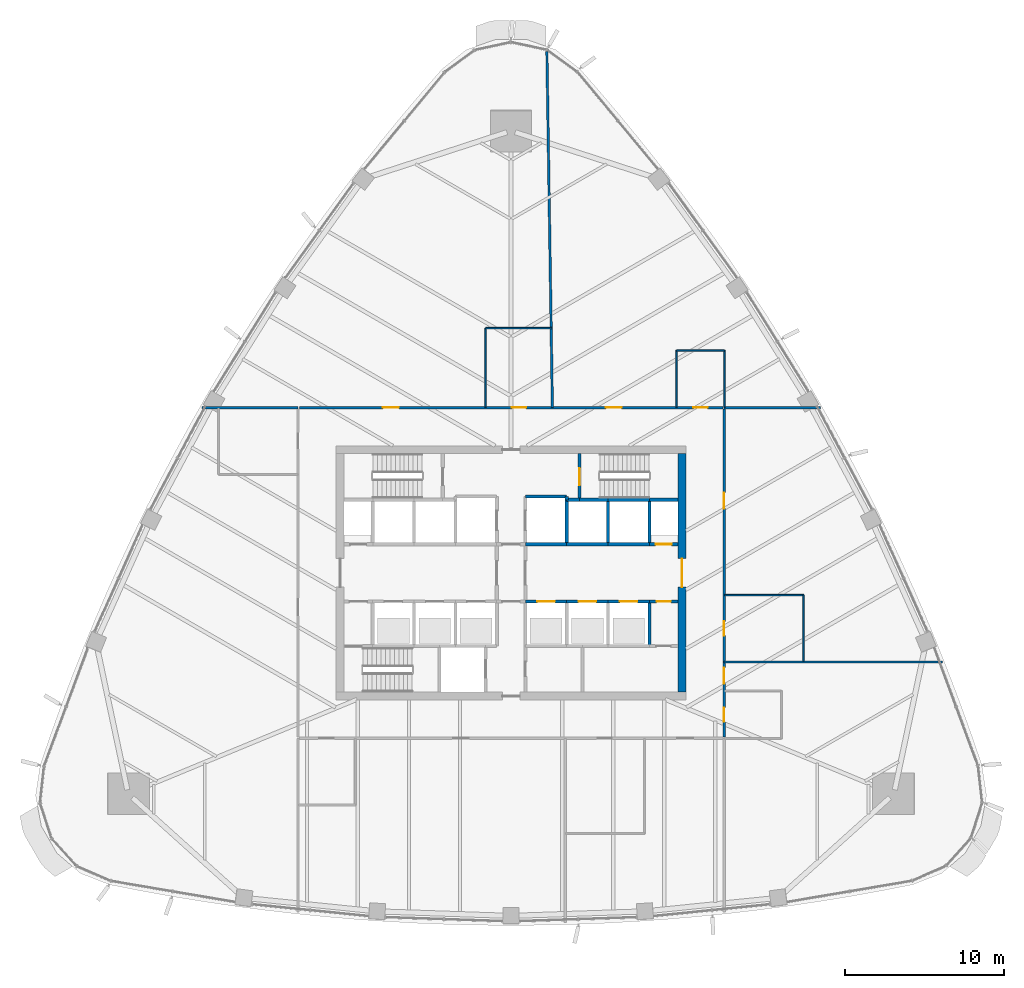
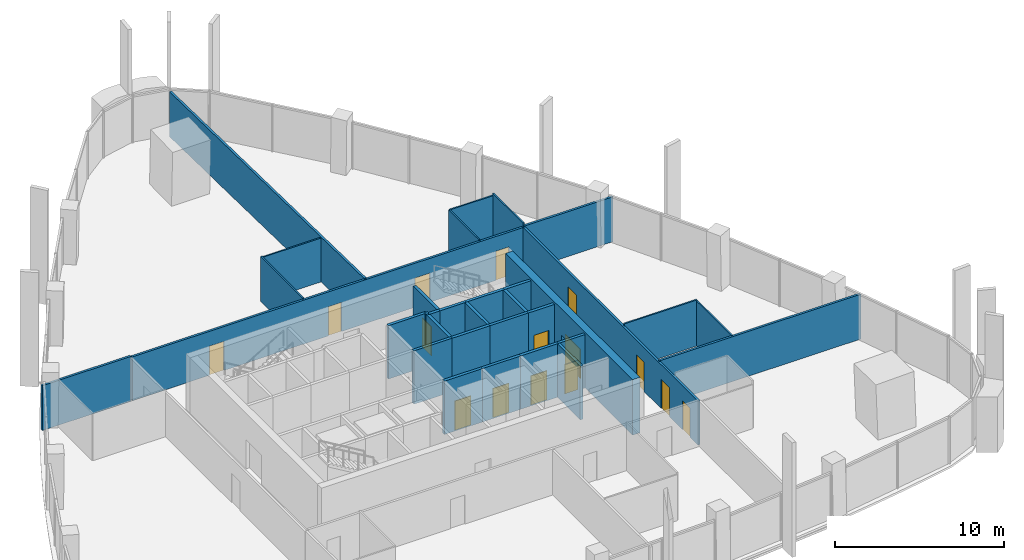
# One storey, part 11 of 20: 33 walls, 15 doors, 15 openings.
"""IFC4 building model written with IfcOpenShell, lengths in metres."""

from ifc_helpers import new_model, si_unit, direction, frame, frame_2d, origin, place, context, subcontext, project, spatial, rectangle, extrude, material, layer, layer_set, type_object, element, fill, save


model = new_model("IFC4")

# Units and contexts
model_context = context("Model", 3, precision=1e-05, world=origin(), true_north=direction((0.0, 1.0)))
body_context = subcontext(model_context, "Body", "Model", "MODEL_VIEW")
ifc_project = project(units=[si_unit("LENGTHUNIT", "METRE"), si_unit("AREAUNIT", "SQUARE_METRE"), si_unit("VOLUMEUNIT", "CUBIC_METRE"), si_unit("PLANEANGLEUNIT", "RADIAN"), si_unit("MASSUNIT", "GRAM", prefix="KILO")], contexts=[model_context])

# Site, building, storey
site_placement = place(None, origin())
site = spatial("IfcSite", under=ifc_project, at=site_placement, CompositionType="ELEMENT")
building_placement = place(site_placement, origin())
building = spatial("IfcBuilding", under=site, at=building_placement, Name="Sierra Prisma Convention Tower", CompositionType="ELEMENT")
storey_placement = place(building_placement, frame((0.0, 0.0, 161.800048828125)))
storey = spatial("IfcBuildingStorey", under=building, at=storey_placement, Name="L35", CompositionType="ELEMENT", Elevation=161.800048828125)

# Walls
ifc_material_1 = material(Name="Gypsum board partition", Category="gypsum")
ifc_layer_1 = layer(ifc_material_1, 0.10009765625)
ifc_layer_set_1 = layer_set([ifc_layer_1], Name="Bathroom partition 100")
wall_type_1 = type_object("IfcWallType", Name="Bathroom partition 100", PredefinedType="PARTITIONING", material=ifc_layer_set_1)
wall_1_placement = place(storey_placement, frame((-1.60009765625, 10.429931640625, 0.0), z_axis=(0.0, 0.0, 1.0), x_axis=(0.0, 1.0, 0.0)))
element("IfcWall", 1, at=wall_1_placement, inside=storey, type_object=wall_type_1, Name="Partition L35 bath 5", PredefinedType="PARTITIONING", context=body_context, shape_type="SweptSolid", body=[
    extrude(rectangle(XDim=4.969970703125, YDim=0.10009765625, at=frame_2d((2.48486328125, 0.0))), origin(), (0.0, 0.0, 1.0), 3.2470703125),
])
wall_2_placement = place(storey_placement, frame((-1.60009765625, 15.39990234375, 0.0), z_axis=(0.0, 0.0, 1.0), x_axis=(1.0, 0.0, 0.0)))
element("IfcWall", 2, at=wall_2_placement, inside=storey, type_object=wall_type_1, Name="Partition L35 bath 6", PredefinedType="PARTITIONING", context=body_context, shape_type="SweptSolid", body=[
    extrude(rectangle(XDim=4.170166015625, YDim=0.10009765625, at=frame_2d((2.0849609375, 0.0))), origin(), (0.0, 0.0, 1.0), 3.166015625),
])
wall_3_placement = place(storey_placement, frame((10.419921875, 10.429931640625, 0.0), z_axis=(0.0, 0.0, 1.0), x_axis=(0.0, 1.0, 0.0)))
element("IfcWall", 3, at=wall_3_placement, inside=storey, type_object=wall_type_1, Name="Partition L35 bath 9", PredefinedType="PARTITIONING", context=body_context, shape_type="SweptSolid", body=[
    extrude(rectangle(XDim=3.570068359375, YDim=0.10009765625, at=frame_2d((1.78515625, 0.0))), origin(), (0.0, 0.0, 1.0), 3.2470703125),
])
wall_4_placement = place(storey_placement, frame((10.419921875, 14.0, 0.0), z_axis=(0.0, 0.0, 1.0), x_axis=(1.0, 0.0, 0.0)))
element("IfcWall", 4, at=wall_4_placement, inside=storey, type_object=wall_type_1, Name="Partition L35 bath 10", PredefinedType="PARTITIONING", context=body_context, shape_type="SweptSolid", body=[
    extrude(rectangle(XDim=3.0, YDim=0.10009765625, at=frame_2d((1.5, 0.0))), origin(), (0.0, 0.0, 1.0), 3.2470703125),
])
wall_5_placement = place(storey_placement, frame((13.419921875, 14.0, 0.0), z_axis=(0.0, 0.0, 1.0), x_axis=(0.0, -1.0, 0.0)))
element("IfcWall", 5, at=wall_5_placement, inside=storey, type_object=wall_type_1, Name="Partition L35 bath 11", PredefinedType="PARTITIONING", context=body_context, shape_type="SweptSolid", body=[
    extrude(rectangle(XDim=3.570068359375, YDim=0.10009765625, at=frame_2d((1.78515625, 0.0))), origin(), (0.0, 0.0, 1.0), 3.39306640625),
])
wall_6_placement = place(storey_placement, frame((13.429931640625, -1.39990234375, 0.0), z_axis=(0.0, 0.0, 1.0), x_axis=(1.0, 0.0, 0.0)))
element("IfcWall", 6, at=wall_6_placement, inside=storey, type_object=wall_type_1, Name="Partition L35 bath 15", PredefinedType="PARTITIONING", context=body_context, shape_type="SweptSolid", body=[
    extrude(rectangle(XDim=4.969970703125, YDim=0.10009765625, at=frame_2d((2.48486328125, 0.0))), origin(), (0.0, 0.0, 1.0), 3.31689453125),
])
wall_7_placement = place(storey_placement, frame((18.39990234375, -1.39990234375, 0.0), z_axis=(0.0, 0.0, 1.0), x_axis=(0.0, -1.0, 0.0)))
element("IfcWall", 7, at=wall_7_placement, inside=storey, type_object=wall_type_1, Name="Partition L35 bath 16", PredefinedType="PARTITIONING", context=body_context, shape_type="SweptSolid", body=[
    extrude(rectangle(XDim=4.170166015625, YDim=0.10009765625, at=frame_2d((2.0849609375, 0.0))), origin(), (0.0, 0.0, 1.0), 3.2470703125),
])

# Wall, opening, door
ifc_material_2 = material(Name="Concrete C30/37", Category="concrete")
ifc_layer_2 = layer(ifc_material_2, 0.199951171875)
ifc_layer_set_2 = layer_set([ifc_layer_2], Name="Core wall RC 200 C30/37")
wall_type_2 = type_object("IfcWallType", Name="Core wall RC 200 C30/37", PredefinedType="SOLIDWALL", material=ifc_layer_set_2)
wall_8_placement = place(storey_placement, frame((0.89990234375, -1.800048828125, 0.0), z_axis=(0.0, 0.0, 1.0), x_axis=(1.0, 0.0, 0.0)))
wall_8 = element("IfcWall", 8, at=wall_8_placement, inside=storey, type_object=wall_type_2, Name="Core wall L35 38", PredefinedType="SOLIDWALL", context=body_context, shape_type="SweptSolid", body=[
    extrude(rectangle(XDim=2.60009765625, YDim=0.199951171875, at=frame_2d((1.300048828125, 0.0))), origin(), (0.0, 0.0, 1.0), 3.849853515625),
])
opening_1_placement = place(wall_8_placement, frame((0.75, 0.0, 0.0)))
opening_1 = element("IfcOpeningElement", 9, at=opening_1_placement, cuts=wall_8, Name="Opening L35-D004", PredefinedType="OPENING", context=body_context, shape_type="SweptSolid", body=[
    extrude(rectangle(XDim=1.10009765625, YDim=2.10009765625, at=frame_2d((0.550048828125, 1.050048828125))), frame((0.0, 0.10009765625, 0.0), z_axis=(0.0, -1.0, 0.0), x_axis=(1.0, 0.0, 0.0)), (0.0, 0.0, 1.0), 0.199951171875),
])
ifc_material_3 = material(Name="Steel fire door leaf", Category="steel")
door_type_1 = type_object("IfcDoorType", Name="Door 1100x2100 EI 90 sliding lift landing", OperationType="SLIDING_TO_LEFT", PredefinedType="DOOR", material=ifc_material_3)
door_1_placement = place(opening_1_placement, origin())
door_1 = element("IfcDoor", 10, at=door_1_placement, inside=storey, type_object=door_type_1, Name="Door L35 18", OperationType="SLIDING_TO_RIGHT", OverallHeight=2.10009765625, OverallWidth=1.10009765625, PredefinedType="DOOR", context=body_context, shape_type="SweptSolid", body=[
    extrude(rectangle(XDim=1.10009765625, YDim=2.10009765625, at=frame_2d((0.550048828125, 1.050048828125))), frame((0.0, 0.02490234375, 0.0), z_axis=(0.0, -1.0, 0.0), x_axis=(1.0, 0.0, 0.0)), (0.0, 0.0, 1.0), 0.050048828125),
])
fill(opening_1, door_1)

# Walls
wall_9_placement = place(storey_placement, frame((3.5, 1.800048828125, 0.0), z_axis=(0.0, 0.0, 1.0), x_axis=(-1.0, 0.0, 0.0)))
element("IfcWall", 11, at=wall_9_placement, inside=storey, type_object=wall_type_2, Name="Core wall L35 40", PredefinedType="SOLIDWALL", context=body_context, shape_type="SweptSolid", body=[
    extrude(rectangle(XDim=2.60009765625, YDim=0.199951171875, at=frame_2d((1.300048828125, 0.0))), origin(), (0.0, 0.0, 1.0), 3.849853515625),
])
wall_10_placement = place(storey_placement, frame((3.5, 4.60009765625, 0.0), z_axis=(0.0, 0.0, 1.0), x_axis=(0.0, 1.0, 0.0)))
element("IfcWall", 12, at=wall_10_placement, inside=storey, type_object=wall_type_2, Name="Core wall L35 41", PredefinedType="SOLIDWALL", context=body_context, shape_type="SweptSolid", body=[
    extrude(rectangle(XDim=0.199951171875, YDim=0.199951171875, at=frame_2d((0.10009765625, 0.0))), origin(), (0.0, 0.0, 1.0), 3.849853515625),
])
wall_11_placement = place(storey_placement, frame((3.5, 4.800048828125, 0.0), z_axis=(0.0, 0.0, 1.0), x_axis=(-1.0, 0.0, 0.0)))
element("IfcWall", 13, at=wall_11_placement, inside=storey, type_object=wall_type_2, Name="Core wall L35 42", PredefinedType="SOLIDWALL", context=body_context, shape_type="SweptSolid", body=[
    extrude(rectangle(XDim=2.60009765625, YDim=0.199951171875, at=frame_2d((1.300048828125, 0.0))), origin(), (0.0, 0.0, 1.0), 3.849853515625),
])

# Wall, opening, door
wall_12_placement = place(storey_placement, frame((3.5, -1.800048828125, 0.0), z_axis=(0.0, 0.0, 1.0), x_axis=(1.0, 0.0, 0.0)))
wall_12 = element("IfcWall", 14, at=wall_12_placement, inside=storey, type_object=wall_type_2, Name="Core wall L35 46", PredefinedType="SOLIDWALL", context=body_context, shape_type="SweptSolid", body=[
    extrude(rectangle(XDim=2.60009765625, YDim=0.199951171875, at=frame_2d((1.300048828125, 0.0))), origin(), (0.0, 0.0, 1.0), 3.849853515625),
])
opening_2_placement = place(wall_12_placement, frame((0.75, 0.0, 0.0)))
opening_2 = element("IfcOpeningElement", 15, at=opening_2_placement, cuts=wall_12, Name="Opening L35-D005", PredefinedType="OPENING", context=body_context, shape_type="SweptSolid", body=[
    extrude(rectangle(XDim=1.10009765625, YDim=2.10009765625, at=frame_2d((0.550048828125, 1.050048828125))), frame((0.0, 0.10009765625, 0.0), z_axis=(0.0, -1.0, 0.0), x_axis=(1.0, 0.0, 0.0)), (0.0, 0.0, 1.0), 0.199951171875),
])
door_2_placement = place(opening_2_placement, origin())
door_2 = element("IfcDoor", 16, at=door_2_placement, inside=storey, type_object=door_type_1, Name="Door L35 19", OperationType="SLIDING_TO_LEFT", OverallHeight=2.10009765625, OverallWidth=1.10009765625, PredefinedType="DOOR", context=body_context, shape_type="SweptSolid", body=[
    extrude(rectangle(XDim=1.10009765625, YDim=2.10009765625, at=frame_2d((0.550048828125, 1.050048828125))), frame((0.0, 0.02490234375, 0.0), z_axis=(0.0, -1.0, 0.0), x_axis=(1.0, 0.0, 0.0)), (0.0, 0.0, 1.0), 0.050048828125),
])
fill(opening_2, door_2)

# Walls
wall_13_placement = place(storey_placement, frame((6.10009765625, 1.800048828125, 0.0), z_axis=(0.0, 0.0, 1.0), x_axis=(-1.0, 0.0, 0.0)))
element("IfcWall", 17, at=wall_13_placement, inside=storey, type_object=wall_type_2, Name="Core wall L35 47", PredefinedType="SOLIDWALL", context=body_context, shape_type="SweptSolid", body=[
    extrude(rectangle(XDim=2.60009765625, YDim=0.199951171875, at=frame_2d((1.300048828125, 0.0))), origin(), (0.0, 0.0, 1.0), 3.849853515625),
])
wall_14_placement = place(storey_placement, frame((3.5, 1.800048828125, 0.0), z_axis=(0.0, 0.0, 1.0), x_axis=(0.0, 1.0, 0.0)))
element("IfcWall", 18, at=wall_14_placement, inside=storey, type_object=wall_type_2, Name="Core wall L35 48", PredefinedType="SOLIDWALL", context=body_context, shape_type="SweptSolid", body=[
    extrude(rectangle(XDim=2.800048828125, YDim=0.199951171875, at=frame_2d((1.39990234375, 0.0))), origin(), (0.0, 0.0, 1.0), 3.849853515625),
])
wall_15_placement = place(storey_placement, frame((4.300048828125, 4.60009765625, 0.0), z_axis=(0.0, 0.0, 1.0), x_axis=(-1.0, 0.0, 0.0)))
element("IfcWall", 19, at=wall_15_placement, inside=storey, type_object=wall_type_2, Name="Core wall L35 49", PredefinedType="SOLIDWALL", context=body_context, shape_type="SweptSolid", body=[
    extrude(rectangle(XDim=0.800048828125, YDim=0.199951171875, at=frame_2d((0.39990234375, 0.0))), origin(), (0.0, 0.0, 1.0), 3.849853515625),
])
wall_16_placement = place(storey_placement, frame((6.10009765625, 4.60009765625, 0.0), z_axis=(0.0, 0.0, 1.0), x_axis=(-1.0, 0.0, 0.0)))
element("IfcWall", 20, at=wall_16_placement, inside=storey, type_object=wall_type_2, Name="Core wall L35 50", PredefinedType="SOLIDWALL", context=body_context, shape_type="SweptSolid", body=[
    extrude(rectangle(XDim=1.800048828125, YDim=0.199951171875, at=frame_2d((0.89990234375, 0.0))), origin(), (0.0, 0.0, 1.0), 3.849853515625),
])

# Wall, opening, door
wall_17_placement = place(storey_placement, frame((4.300048828125, 7.5, 0.0), z_axis=(0.0, 0.0, 1.0), x_axis=(0.0, -1.0, 0.0)))
wall_17 = element("IfcWall", 21, at=wall_17_placement, inside=storey, type_object=wall_type_2, Name="Core wall L35 51", PredefinedType="SOLIDWALL", context=body_context, shape_type="SweptSolid", body=[
    extrude(rectangle(XDim=2.89990234375, YDim=0.199951171875, at=frame_2d((1.449951171875, 0.0))), origin(), (0.0, 0.0, 1.0), 3.849853515625),
])
opening_3_placement = place(wall_17_placement, frame((0.89990234375, 0.0, 0.0)))
opening_3 = element("IfcOpeningElement", 22, at=opening_3_placement, cuts=wall_17, Name="Opening L35-D019", PredefinedType="OPENING", context=body_context, shape_type="SweptSolid", body=[
    extrude(rectangle(XDim=1.10009765625, YDim=2.10009765625, at=frame_2d((0.550048828125, 1.050048828125))), frame((0.0, 0.10009765625, 0.0), z_axis=(0.0, -1.0, 0.0), x_axis=(1.0, 0.0, 0.0)), (0.0, 0.0, 1.0), 0.199951171875),
])
ifc_material_4 = material(Name="Steel fire door leaf", Category="steel")
door_type_2 = type_object("IfcDoorType", Name="Door 1100x2100 FD90S", OperationType="SINGLE_SWING_LEFT", PredefinedType="DOOR", material=ifc_material_4)
door_3_placement = place(opening_3_placement, origin())
door_3 = element("IfcDoor", 23, at=door_3_placement, inside=storey, type_object=door_type_2, Name="Door L35 33", OperationType="SINGLE_SWING_LEFT", OverallHeight=2.10009765625, OverallWidth=1.10009765625, PredefinedType="DOOR", context=body_context, shape_type="SweptSolid", body=[
    extrude(rectangle(XDim=1.10009765625, YDim=2.10009765625, at=frame_2d((0.550048828125, 1.050048828125))), frame((0.0, 0.02490234375, 0.0), z_axis=(0.0, -1.0, 0.0), x_axis=(1.0, 0.0, 0.0)), (0.0, 0.0, 1.0), 0.050048828125),
])
fill(opening_3, door_3)

wall_18_placement = place(storey_placement, frame((6.10009765625, -1.800048828125, 0.0), z_axis=(0.0, 0.0, 1.0), x_axis=(1.0, 0.0, 0.0)))
wall_18 = element("IfcWall", 24, at=wall_18_placement, inside=storey, type_object=wall_type_2, Name="Core wall L35 56", PredefinedType="SOLIDWALL", context=body_context, shape_type="SweptSolid", body=[
    extrude(rectangle(XDim=2.599853515625, YDim=0.199951171875, at=frame_2d((1.2998046875, 0.0))), origin(), (0.0, 0.0, 1.0), 3.849853515625),
])
opening_4_placement = place(wall_18_placement, frame((0.75, 0.0, 0.0)))
opening_4 = element("IfcOpeningElement", 25, at=opening_4_placement, cuts=wall_18, Name="Opening L35-D006", PredefinedType="OPENING", context=body_context, shape_type="SweptSolid", body=[
    extrude(rectangle(XDim=1.10009765625, YDim=2.10009765625, at=frame_2d((0.550048828125, 1.050048828125))), frame((0.0, 0.10009765625, 0.0), z_axis=(0.0, -1.0, 0.0), x_axis=(1.0, 0.0, 0.0)), (0.0, 0.0, 1.0), 0.199951171875),
])
door_4_placement = place(opening_4_placement, origin())
door_4 = element("IfcDoor", 26, at=door_4_placement, inside=storey, type_object=door_type_1, Name="Door L35 20", OperationType="SLIDING_TO_RIGHT", OverallHeight=2.10009765625, OverallWidth=1.10009765625, PredefinedType="DOOR", context=body_context, shape_type="SweptSolid", body=[
    extrude(rectangle(XDim=1.10009765625, YDim=2.10009765625, at=frame_2d((0.550048828125, 1.050048828125))), frame((0.0, 0.02490234375, 0.0), z_axis=(0.0, -1.0, 0.0), x_axis=(1.0, 0.0, 0.0)), (0.0, 0.0, 1.0), 0.050048828125),
])
fill(opening_4, door_4)

# Walls
wall_19_placement = place(storey_placement, frame((8.699951171875, 1.800048828125, 0.0), z_axis=(0.0, 0.0, 1.0), x_axis=(-1.0, 0.0, 0.0)))
element("IfcWall", 27, at=wall_19_placement, inside=storey, type_object=wall_type_2, Name="Core wall L35 57", PredefinedType="SOLIDWALL", context=body_context, shape_type="SweptSolid", body=[
    extrude(rectangle(XDim=2.599853515625, YDim=0.199951171875, at=frame_2d((1.2998046875, 0.0))), origin(), (0.0, 0.0, 1.0), 3.849853515625),
])
wall_20_placement = place(storey_placement, frame((6.10009765625, 1.800048828125, 0.0), z_axis=(0.0, 0.0, 1.0), x_axis=(0.0, 1.0, 0.0)))
element("IfcWall", 28, at=wall_20_placement, inside=storey, type_object=wall_type_2, Name="Core wall L35 58", PredefinedType="SOLIDWALL", context=body_context, shape_type="SweptSolid", body=[
    extrude(rectangle(XDim=2.800048828125, YDim=0.199951171875, at=frame_2d((1.39990234375, 0.0))), origin(), (0.0, 0.0, 1.0), 3.849853515625),
])
wall_21_placement = place(storey_placement, frame((8.699951171875, 4.60009765625, 0.0), z_axis=(0.0, 0.0, 1.0), x_axis=(-1.0, 0.0, 0.0)))
element("IfcWall", 29, at=wall_21_placement, inside=storey, type_object=wall_type_2, Name="Core wall L35 59", PredefinedType="SOLIDWALL", context=body_context, shape_type="SweptSolid", body=[
    extrude(rectangle(XDim=2.599853515625, YDim=0.199951171875, at=frame_2d((1.2998046875, 0.0))), origin(), (0.0, 0.0, 1.0), 3.849853515625),
])
wall_22_placement = place(storey_placement, frame((8.699951171875, -1.800048828125, 0.0), z_axis=(0.0, 0.0, 1.0), x_axis=(0.0, -1.0, 0.0)))
element("IfcWall", 30, at=wall_22_placement, inside=storey, type_object=wall_type_2, Name="Core wall L35 61", PredefinedType="SOLIDWALL", context=body_context, shape_type="SweptSolid", body=[
    extrude(rectangle(XDim=2.800048828125, YDim=0.199951171875, at=frame_2d((1.39990234375, 0.0))), origin(), (0.0, 0.0, 1.0), 3.849853515625),
])

# Wall, opening, door
wall_23_placement = place(storey_placement, frame((8.699951171875, -1.800048828125, 0.0), z_axis=(0.0, 0.0, 1.0), x_axis=(1.0, 0.0, 0.0)))
wall_23 = element("IfcWall", 31, at=wall_23_placement, inside=storey, type_object=wall_type_2, Name="Core wall L35 62", PredefinedType="SOLIDWALL", context=body_context, shape_type="SweptSolid", body=[
    extrude(rectangle(XDim=1.800048828125, YDim=0.199951171875, at=frame_2d((0.89990234375, 0.0))), origin(), (0.0, 0.0, 1.0), 3.849853515625),
])
opening_5_placement = place(wall_23_placement, frame((0.449951171875, 0.0, 0.0)))
opening_5 = element("IfcOpeningElement", 32, at=opening_5_placement, cuts=wall_23, Name="Opening L35-D021", PredefinedType="OPENING", context=body_context, shape_type="SweptSolid", body=[
    extrude(rectangle(XDim=0.89990234375, YDim=2.10009765625, at=frame_2d((0.449951171875, 1.050048828125))), frame((0.0, 0.10009765625, 0.0), z_axis=(0.0, -1.0, 0.0), x_axis=(1.0, 0.0, 0.0)), (0.0, 0.0, 1.0), 0.199951171875),
])
ifc_material_5 = material(Name="Steel fire door leaf", Category="steel")
door_type_3 = type_object("IfcDoorType", Name="Door 900x2100 FD30S", OperationType="SINGLE_SWING_LEFT", PredefinedType="DOOR", material=ifc_material_5)
door_5_placement = place(opening_5_placement, origin())
door_5 = element("IfcDoor", 33, at=door_5_placement, inside=storey, type_object=door_type_3, Name="Door L35 35", OperationType="SINGLE_SWING_RIGHT", OverallHeight=2.10009765625, OverallWidth=0.89990234375, PredefinedType="DOOR", context=body_context, shape_type="SweptSolid", body=[
    extrude(rectangle(XDim=0.89990234375, YDim=2.10009765625, at=frame_2d((0.449951171875, 1.050048828125))), frame((0.0, 0.02490234375, 0.0), z_axis=(0.0, -1.0, 0.0), x_axis=(1.0, 0.0, 0.0)), (0.0, 0.0, 1.0), 0.050048828125),
])
fill(opening_5, door_5)

wall_24_placement = place(storey_placement, frame((10.5, 1.800048828125, 0.0), z_axis=(0.0, 0.0, 1.0), x_axis=(-1.0, 0.0, 0.0)))
wall_24 = element("IfcWall", 34, at=wall_24_placement, inside=storey, type_object=wall_type_2, Name="Core wall L35 63", PredefinedType="SOLIDWALL", context=body_context, shape_type="SweptSolid", body=[
    extrude(rectangle(XDim=1.800048828125, YDim=0.199951171875, at=frame_2d((0.89990234375, 0.0))), origin(), (0.0, 0.0, 1.0), 3.849853515625),
])
opening_6_placement = place(wall_24_placement, frame((0.39990234375, 0.0, 0.0)))
opening_6 = element("IfcOpeningElement", 35, at=opening_6_placement, cuts=wall_24, Name="Opening L35-D016", PredefinedType="OPENING", context=body_context, shape_type="SweptSolid", body=[
    extrude(rectangle(XDim=1.0, YDim=2.10009765625, at=frame_2d((0.5, 1.050048828125))), frame((0.0, 0.10009765625, 0.0), z_axis=(0.0, -1.0, 0.0), x_axis=(1.0, 0.0, 0.0)), (0.0, 0.0, 1.0), 0.199951171875),
])
ifc_material_6 = material(Name="Steel fire door leaf", Category="steel")
door_type_4 = type_object("IfcDoorType", Name="Door 1000x2100 FD60S", OperationType="SINGLE_SWING_LEFT", PredefinedType="DOOR", material=ifc_material_6)
door_6_placement = place(opening_6_placement, origin())
door_6 = element("IfcDoor", 36, at=door_6_placement, inside=storey, type_object=door_type_4, Name="Door L35 30", OperationType="SINGLE_SWING_LEFT", OverallHeight=2.10009765625, OverallWidth=1.0, PredefinedType="DOOR", context=body_context, shape_type="SweptSolid", body=[
    extrude(rectangle(XDim=1.0, YDim=2.10009765625, at=frame_2d((0.5, 1.050048828125))), frame((0.0, 0.02490234375, 0.0), z_axis=(0.0, -1.0, 0.0), x_axis=(1.0, 0.0, 0.0)), (0.0, 0.0, 1.0), 0.050048828125),
])
fill(opening_6, door_6)

# Walls
wall_25_placement = place(storey_placement, frame((8.699951171875, 4.60009765625, 0.0), z_axis=(0.0, 0.0, 1.0), x_axis=(0.0, -1.0, 0.0)))
element("IfcWall", 37, at=wall_25_placement, inside=storey, type_object=wall_type_2, Name="Core wall L35 64", PredefinedType="SOLIDWALL", context=body_context, shape_type="SweptSolid", body=[
    extrude(rectangle(XDim=2.800048828125, YDim=0.199951171875, at=frame_2d((1.39990234375, 0.0))), origin(), (0.0, 0.0, 1.0), 3.849853515625),
])
wall_26_placement = place(storey_placement, frame((10.5, 4.60009765625, 0.0), z_axis=(0.0, 0.0, 1.0), x_axis=(-1.0, 0.0, 0.0)))
element("IfcWall", 38, at=wall_26_placement, inside=storey, type_object=wall_type_2, Name="Core wall L35 65", PredefinedType="SOLIDWALL", context=body_context, shape_type="SweptSolid", body=[
    extrude(rectangle(XDim=1.800048828125, YDim=0.199951171875, at=frame_2d((0.89990234375, 0.0))), origin(), (0.0, 0.0, 1.0), 3.849853515625),
])

# Wall, opening, door
ifc_material_7 = material(Name="Concrete C60/75", Category="concrete")
ifc_layer_3 = layer(ifc_material_7, 0.5)
ifc_layer_set_3 = layer_set([ifc_layer_3], Name="Core wall RC 500 C60/75")
wall_type_3 = type_object("IfcWallType", Name="Core wall RC 500 C60/75", PredefinedType="SHEAR", material=ifc_layer_set_3)
wall_27_placement = place(storey_placement, frame((10.75, -7.5, 0.0), z_axis=(0.0, 0.0, 1.0), x_axis=(0.0, 1.0, 0.0)))
wall_27 = element("IfcWall", 39, at=wall_27_placement, inside=storey, type_object=wall_type_3, Name="Core wall E L35", PredefinedType="SHEAR", context=body_context, shape_type="SweptSolid", body=[
    extrude(rectangle(XDim=15.0, YDim=0.5, at=frame_2d((7.5, 0.0))), origin(), (0.0, 0.0, 1.0), 4.0),
])
opening_7_placement = place(wall_27_placement, frame((6.60009765625, 0.0, 0.0)))
opening_7 = element("IfcOpeningElement", 40, at=opening_7_placement, cuts=wall_27, Name="Opening L35-D037", PredefinedType="OPENING", context=body_context, shape_type="SweptSolid", body=[
    extrude(rectangle(XDim=1.800048828125, YDim=2.10009765625, at=frame_2d((0.89990234375, 1.050048828125))), frame((0.0, 0.25, 0.0), z_axis=(0.0, -1.0, 0.0), x_axis=(1.0, 0.0, 0.0)), (0.0, 0.0, 1.0), 0.5),
])
ifc_material_8 = material(Name="Steel fire door leaf", Category="steel")
door_type_5 = type_object("IfcDoorType", Name="Door 1800x2100 FD60S", OperationType="DOUBLE_DOOR_SINGLE_SWING", PredefinedType="DOOR", material=ifc_material_8)
door_7_placement = place(opening_7_placement, origin())
door_7 = element("IfcDoor", 41, at=door_7_placement, inside=storey, type_object=door_type_5, Name="Door L35 38", OperationType="DOUBLE_DOOR_SINGLE_SWING", OverallHeight=2.10009765625, OverallWidth=1.800048828125, PredefinedType="DOOR", context=body_context, shape_type="SweptSolid", body=[
    extrude(rectangle(XDim=1.800048828125, YDim=2.10009765625, at=frame_2d((0.89990234375, 1.050048828125))), frame((0.0, 0.02490234375, 0.0), z_axis=(0.0, -1.0, 0.0), x_axis=(1.0, 0.0, 0.0)), (0.0, 0.0, 1.0), 0.050048828125),
])
fill(opening_7, door_7)

# Wall, openings, doors
ifc_material_9 = material(Name="Gypsum board partition", Category="gypsum")
ifc_layer_4 = layer(ifc_material_9, 0.14990234375)
ifc_layer_set_4 = layer_set([ifc_layer_4], Name="Corridor wall 150 gypsum EI 60")
wall_type_4 = type_object("IfcWallType", Name="Corridor wall 150 gypsum EI 60", PredefinedType="PARTITIONING", material=ifc_layer_set_4)
wall_28_placement = place(storey_placement, frame((13.320068359375, 10.39990234375, 0.0), z_axis=(0.0, 0.0, 1.0), x_axis=(-1.0, 0.0, 0.0)))
wall_28 = element("IfcWall", 42, at=wall_28_placement, inside=storey, type_object=wall_type_4, Name="Partition L35 corr 3", PredefinedType="PARTITIONING", context=body_context, shape_type="SweptSolid", body=[
    extrude(rectangle(XDim=26.64013671875, YDim=0.14990234375, at=frame_2d((13.320068359375, 0.0))), origin(), (0.0, 0.0, 1.0), 3.166015625),
])
opening_8_placement = place(wall_28_placement, frame((0.949951171875, 0.0, 0.0)))
opening_8 = element("IfcOpeningElement", 43, at=opening_8_placement, cuts=wall_28, Name="Opening L35-D025", PredefinedType="OPENING", context=body_context, shape_type="SweptSolid", body=[
    extrude(rectangle(XDim=0.89990234375, YDim=2.10009765625, at=frame_2d((0.449951171875, 1.050048828125))), frame((0.0, 0.074951171875, 0.0), z_axis=(0.0, -1.0, 0.0), x_axis=(1.0, 0.0, 0.0)), (0.0, 0.0, 1.0), 0.14990234375),
])
opening_9_placement = place(wall_28_placement, frame((6.360107421875, 0.0, 0.0)))
opening_9 = element("IfcOpeningElement", 44, at=opening_9_placement, cuts=wall_28, Name="Opening L35-D026", PredefinedType="OPENING", context=body_context, shape_type="SweptSolid", body=[
    extrude(rectangle(XDim=1.0, YDim=2.10009765625, at=frame_2d((0.5, 1.050048828125))), frame((0.0, 0.074951171875, 0.0), z_axis=(0.0, -1.0, 0.0), x_axis=(1.0, 0.0, 0.0)), (0.0, 0.0, 1.0), 0.14990234375),
])
opening_10_placement = place(wall_28_placement, frame((12.3701171875, 0.0, 0.0)))
opening_10 = element("IfcOpeningElement", 45, at=opening_10_placement, cuts=wall_28, Name="Opening L35-D027", PredefinedType="OPENING", context=body_context, shape_type="SweptSolid", body=[
    extrude(rectangle(XDim=0.89990234375, YDim=2.10009765625, at=frame_2d((0.449951171875, 1.050048828125))), frame((0.0, 0.074951171875, 0.0), z_axis=(0.0, -1.0, 0.0), x_axis=(1.0, 0.0, 0.0)), (0.0, 0.0, 1.0), 0.14990234375),
])
opening_11_placement = place(wall_28_placement, frame((20.3798828125, 0.0, 0.0)))
opening_11 = element("IfcOpeningElement", 46, at=opening_11_placement, cuts=wall_28, Name="Opening L35-D028", PredefinedType="OPENING", context=body_context, shape_type="SweptSolid", body=[
    extrude(rectangle(XDim=1.0, YDim=2.10009765625, at=frame_2d((0.5, 1.050048828125))), frame((0.0, 0.074951171875, 0.0), z_axis=(0.0, -1.0, 0.0), x_axis=(1.0, 0.0, 0.0)), (0.0, 0.0, 1.0), 0.14990234375),
])
ifc_material_10 = material(Name="Steel fire door leaf", Category="steel")
door_type_6 = type_object("IfcDoorType", Name="Door 1000x2100 FD30S", OperationType="SINGLE_SWING_LEFT", PredefinedType="DOOR", material=ifc_material_10)
door_8_placement = place(opening_9_placement, origin())
door_8 = element("IfcDoor", 47, at=door_8_placement, inside=storey, type_object=door_type_6, Name="Door L35 4", OperationType="SINGLE_SWING_LEFT", OverallHeight=2.10009765625, OverallWidth=1.0, PredefinedType="DOOR", context=body_context, shape_type="SweptSolid", body=[
    extrude(rectangle(XDim=1.0, YDim=2.10009765625, at=frame_2d((0.5, 1.050048828125))), frame((0.0, 0.02490234375, 0.0), z_axis=(0.0, -1.0, 0.0), x_axis=(1.0, 0.0, 0.0)), (0.0, 0.0, 1.0), 0.050048828125),
])
fill(opening_9, door_8)
door_9_placement = place(opening_11_placement, origin())
door_9 = element("IfcDoor", 48, at=door_9_placement, inside=storey, type_object=door_type_6, Name="Door L35 6", OperationType="SINGLE_SWING_LEFT", OverallHeight=2.10009765625, OverallWidth=1.0, PredefinedType="DOOR", context=body_context, shape_type="SweptSolid", body=[
    extrude(rectangle(XDim=1.0, YDim=2.10009765625, at=frame_2d((0.5, 1.050048828125))), frame((0.0, 0.02490234375, 0.0), z_axis=(0.0, -1.0, 0.0), x_axis=(1.0, 0.0, 0.0)), (0.0, 0.0, 1.0), 0.050048828125),
])
fill(opening_11, door_9)
door_10_placement = place(opening_8_placement, origin())
door_10 = element("IfcDoor", 49, at=door_10_placement, inside=storey, type_object=door_type_3, Name="Door L35 3", OperationType="SINGLE_SWING_RIGHT", OverallHeight=2.10009765625, OverallWidth=0.89990234375, PredefinedType="DOOR", context=body_context, shape_type="SweptSolid", body=[
    extrude(rectangle(XDim=0.89990234375, YDim=2.10009765625, at=frame_2d((0.449951171875, 1.050048828125))), frame((0.0, 0.02490234375, 0.0), z_axis=(0.0, -1.0, 0.0), x_axis=(1.0, 0.0, 0.0)), (0.0, 0.0, 1.0), 0.050048828125),
])
fill(opening_8, door_10)
door_11_placement = place(opening_10_placement, origin())
door_11 = element("IfcDoor", 50, at=door_11_placement, inside=storey, type_object=door_type_3, Name="Door L35 5", OperationType="SINGLE_SWING_LEFT", OverallHeight=2.10009765625, OverallWidth=0.89990234375, PredefinedType="DOOR", context=body_context, shape_type="SweptSolid", body=[
    extrude(rectangle(XDim=0.89990234375, YDim=2.10009765625, at=frame_2d((0.449951171875, 1.050048828125))), frame((0.0, 0.02490234375, 0.0), z_axis=(0.0, -1.0, 0.0), x_axis=(1.0, 0.0, 0.0)), (0.0, 0.0, 1.0), 0.050048828125),
])
fill(opening_10, door_11)

wall_29_placement = place(storey_placement, frame((13.39990234375, -10.320068359375, 0.0), z_axis=(0.0, 0.0, 1.0), x_axis=(0.0, 1.0, 0.0)))
wall_29 = element("IfcWall", 51, at=wall_29_placement, inside=storey, type_object=wall_type_4, Name="Partition L35 corr 4", PredefinedType="PARTITIONING", context=body_context, shape_type="SweptSolid", body=[
    extrude(rectangle(XDim=20.64013671875, YDim=0.14990234375, at=frame_2d((10.320068359375, 0.0))), origin(), (0.0, 0.0, 1.0), 3.166015625),
])
opening_12_placement = place(wall_29_placement, frame((6.3701171875, 0.0, 0.0)))
opening_12 = element("IfcOpeningElement", 52, at=opening_12_placement, cuts=wall_29, Name="Opening L35-D023", PredefinedType="OPENING", context=body_context, shape_type="SweptSolid", body=[
    extrude(rectangle(XDim=0.89990234375, YDim=2.10009765625, at=frame_2d((0.449951171875, 1.050048828125))), frame((0.0, 0.074951171875, 0.0), z_axis=(0.0, -1.0, 0.0), x_axis=(1.0, 0.0, 0.0)), (0.0, 0.0, 1.0), 0.14990234375),
])
opening_13_placement = place(wall_29_placement, frame((14.3701171875, 0.0, 0.0)))
opening_13 = element("IfcOpeningElement", 53, at=opening_13_placement, cuts=wall_29, Name="Opening L35-D024", PredefinedType="OPENING", context=body_context, shape_type="SweptSolid", body=[
    extrude(rectangle(XDim=1.0, YDim=2.10009765625, at=frame_2d((0.5, 1.050048828125))), frame((0.0, 0.074951171875, 0.0), z_axis=(0.0, -1.0, 0.0), x_axis=(1.0, 0.0, 0.0)), (0.0, 0.0, 1.0), 0.14990234375),
])
opening_14_placement = place(wall_29_placement, frame((0.949951171875, 0.0, 0.0)))
opening_14 = element("IfcOpeningElement", 54, at=opening_14_placement, cuts=wall_29, Name="Opening L35-D035", PredefinedType="OPENING", context=body_context, shape_type="SweptSolid", body=[
    extrude(rectangle(XDim=0.89990234375, YDim=2.10009765625, at=frame_2d((0.449951171875, 1.050048828125))), frame((0.0, 0.074951171875, 0.0), z_axis=(0.0, -1.0, 0.0), x_axis=(1.0, 0.0, 0.0)), (0.0, 0.0, 1.0), 0.14990234375),
])
opening_15_placement = place(wall_29_placement, frame((3.360107421875, 0.0, 0.0)))
opening_15 = element("IfcOpeningElement", 55, at=opening_15_placement, cuts=wall_29, Name="Opening L35-D036", PredefinedType="OPENING", context=body_context, shape_type="SweptSolid", body=[
    extrude(rectangle(XDim=1.0, YDim=2.10009765625, at=frame_2d((0.5, 1.050048828125))), frame((0.0, 0.074951171875, 0.0), z_axis=(0.0, -1.0, 0.0), x_axis=(1.0, 0.0, 0.0)), (0.0, 0.0, 1.0), 0.14990234375),
])
door_12_placement = place(opening_13_placement, origin())
door_12 = element("IfcDoor", 56, at=door_12_placement, inside=storey, type_object=door_type_6, Name="Door L35 2", OperationType="SINGLE_SWING_LEFT", OverallHeight=2.10009765625, OverallWidth=1.0, PredefinedType="DOOR", context=body_context, shape_type="SweptSolid", body=[
    extrude(rectangle(XDim=1.0, YDim=2.10009765625, at=frame_2d((0.5, 1.050048828125))), frame((0.0, 0.02490234375, 0.0), z_axis=(0.0, -1.0, 0.0), x_axis=(1.0, 0.0, 0.0)), (0.0, 0.0, 1.0), 0.050048828125),
])
fill(opening_13, door_12)
door_13_placement = place(opening_15_placement, origin())
door_13 = element("IfcDoor", 57, at=door_13_placement, inside=storey, type_object=door_type_6, Name="Door L35 14", OperationType="SINGLE_SWING_RIGHT", OverallHeight=2.10009765625, OverallWidth=1.0, PredefinedType="DOOR", context=body_context, shape_type="SweptSolid", body=[
    extrude(rectangle(XDim=1.0, YDim=2.10009765625, at=frame_2d((0.5, 1.050048828125))), frame((0.0, 0.02490234375, 0.0), z_axis=(0.0, -1.0, 0.0), x_axis=(1.0, 0.0, 0.0)), (0.0, 0.0, 1.0), 0.050048828125),
])
fill(opening_15, door_13)
door_14_placement = place(opening_12_placement, origin())
door_14 = element("IfcDoor", 58, at=door_14_placement, inside=storey, type_object=door_type_3, Name="Door L35 1", OperationType="SINGLE_SWING_LEFT", OverallHeight=2.10009765625, OverallWidth=0.89990234375, PredefinedType="DOOR", context=body_context, shape_type="SweptSolid", body=[
    extrude(rectangle(XDim=0.89990234375, YDim=2.10009765625, at=frame_2d((0.449951171875, 1.050048828125))), frame((0.0, 0.02490234375, 0.0), z_axis=(0.0, -1.0, 0.0), x_axis=(1.0, 0.0, 0.0)), (0.0, 0.0, 1.0), 0.050048828125),
])
fill(opening_12, door_14)
door_15_placement = place(opening_14_placement, origin())
door_15 = element("IfcDoor", 59, at=door_15_placement, inside=storey, type_object=door_type_3, Name="Door L35 13", OperationType="SINGLE_SWING_LEFT", OverallHeight=2.10009765625, OverallWidth=0.89990234375, PredefinedType="DOOR", context=body_context, shape_type="SweptSolid", body=[
    extrude(rectangle(XDim=0.89990234375, YDim=2.10009765625, at=frame_2d((0.449951171875, 1.050048828125))), frame((0.0, 0.02490234375, 0.0), z_axis=(0.0, -1.0, 0.0), x_axis=(1.0, 0.0, 0.0)), (0.0, 0.0, 1.0), 0.050048828125),
])
fill(opening_14, door_15)

# Walls
ifc_material_11 = material(Name="Gypsum board partition", Category="gypsum")
ifc_layer_5 = layer(ifc_material_11, 0.14990234375)
ifc_layer_set_5 = layer_set([ifc_layer_5], Name="Party wall 150 gypsum")
wall_type_5 = type_object("IfcWallType", Name="Party wall 150 gypsum", PredefinedType="PARTITIONING", material=ifc_layer_set_5)
wall_30_placement = place(storey_placement, frame((-13.39990234375, 10.39990234375, 0.0), z_axis=(0.0, 0.0, 1.0), x_axis=(-1.0, 0.0, 0.0)))
element("IfcWall", 60, at=wall_30_placement, inside=storey, type_object=wall_type_5, Name="Partition L35 party 1", PredefinedType="PARTITIONING", context=body_context, shape_type="SweptSolid", body=[
    extrude(rectangle(XDim=6.05517578125, YDim=0.14990234375, at=frame_2d((3.027587890625, 0.0))), origin(), (0.0, 0.0, 1.0), 3.23388671875),
])
wall_31_placement = place(storey_placement, frame((2.60009765625, 10.39990234375, 0.0), z_axis=(0.0, 0.0, 1.0), x_axis=(-0.015460721318, 0.999880475905, 0.0)))
element("IfcWall", 61, at=wall_31_placement, inside=storey, type_object=wall_type_5, Name="Partition L35 party 3", PredefinedType="PARTITIONING", context=body_context, shape_type="SweptSolid", body=[
    extrude(rectangle(XDim=22.407470703125, YDim=0.14990234375, at=frame_2d((11.20361328125, 0.0))), origin(), (0.0, 0.0, 1.0), 3.23388671875),
])
wall_32_placement = place(storey_placement, frame((27.12939453125, -5.60009765625, 0.0), z_axis=(0.0, 0.0, 1.0), x_axis=(-1.0, 0.0, 0.0)))
element("IfcWall", 62, at=wall_32_placement, inside=storey, type_object=wall_type_5, Name="Partition L35 party 6", PredefinedType="PARTITIONING", context=body_context, shape_type="SweptSolid", body=[
    extrude(rectangle(XDim=13.7294921875, YDim=0.14990234375, at=frame_2d((6.86474609375, 0.0))), origin(), (0.0, 0.0, 1.0), 3.23388671875),
])
wall_33_placement = place(storey_placement, frame((13.39990234375, 10.39990234375, 0.0), z_axis=(0.0, 0.0, 1.0), x_axis=(1.0, 0.0, 0.0)))
element("IfcWall", 63, at=wall_33_placement, inside=storey, type_object=wall_type_5, Name="Partition L35 party 7", PredefinedType="PARTITIONING", context=body_context, shape_type="SweptSolid", body=[
    extrude(rectangle(XDim=6.05517578125, YDim=0.14990234375, at=frame_2d((3.027587890625, 0.0))), origin(), (0.0, 0.0, 1.0), 3.23388671875),
])

save(model, "model.ifc")
